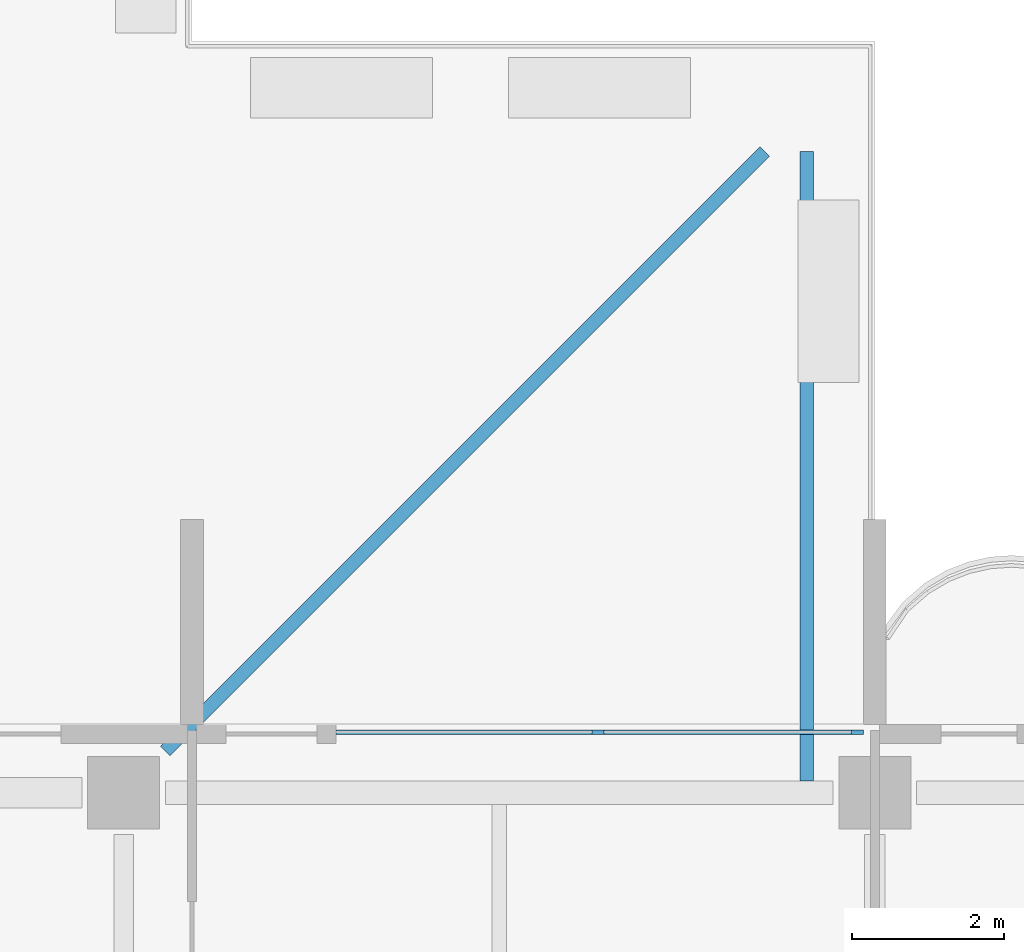
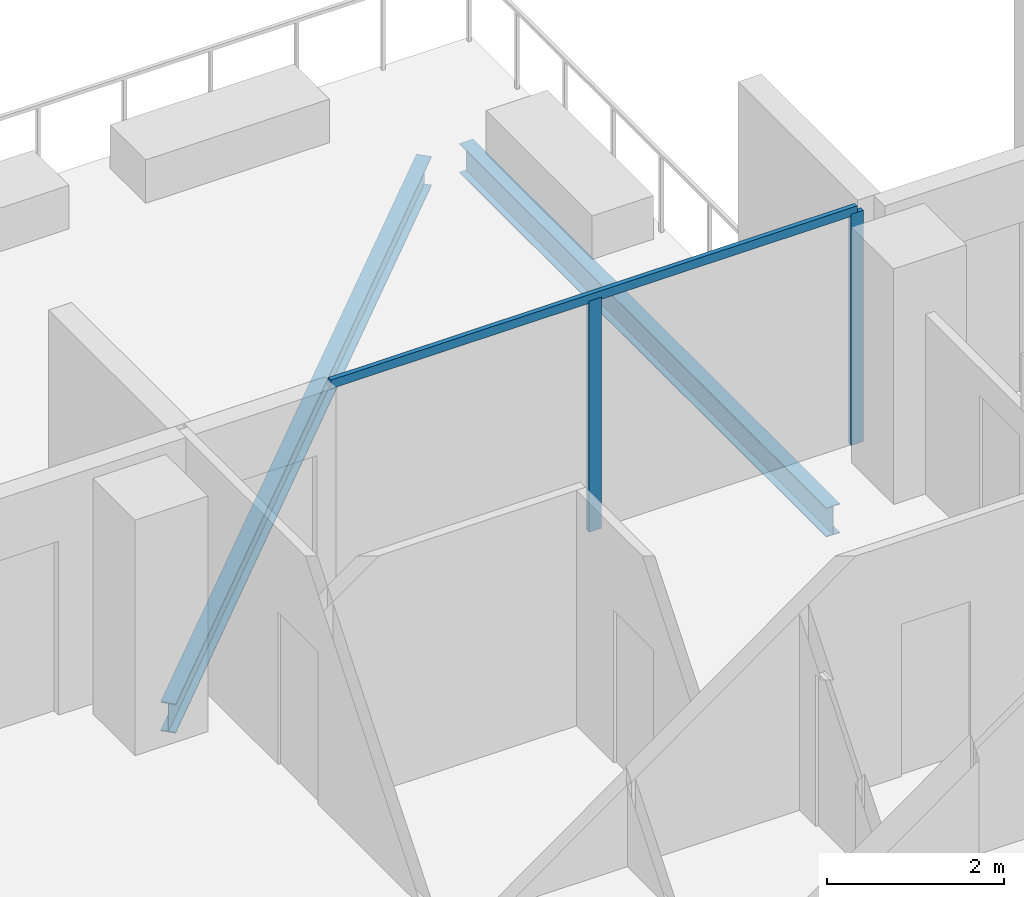
# One storey, part 6 of 18: 3 members, 2 beams, 1 element without a shape of its own.
"""IFC4 building model written with IfcOpenShell, lengths in metres."""

from ifc_helpers import new_model, si_unit, direction, frame, origin, origin_2d, place, context, subcontext, project, spatial, rectangle, i_section, extrude, material, material_profile, profile_set, type_object, element, aggregate, save


model = new_model("IFC4")

# Units and contexts
model_context = context("Model", 3, precision=1e-05, world=origin(), true_north=direction((0.0, 1.0)))
body_context = subcontext(model_context, "Body", "Model", "MODEL_VIEW")
ifc_project = project(units=[si_unit("LENGTHUNIT", "METRE"), si_unit("AREAUNIT", "SQUARE_METRE"), si_unit("VOLUMEUNIT", "CUBIC_METRE"), si_unit("PLANEANGLEUNIT", "RADIAN"), si_unit("MASSUNIT", "GRAM", prefix="KILO")], contexts=[model_context])

# Site, building, storey
site_placement = place(None, origin())
site = spatial("IfcSite", under=ifc_project, at=site_placement, CompositionType="ELEMENT")
building_placement = place(site_placement, origin())
building = spatial("IfcBuilding", under=site, at=building_placement, Name="Perihelion Cross Residences", CompositionType="ELEMENT")
storey_placement = place(building_placement, frame((0.0, 0.0, 166.60009765625)))
storey = spatial("IfcBuildingStorey", under=building, at=storey_placement, Name="L40", CompositionType="ELEMENT", Elevation=166.60009765625)

# Curtain wall, members
ifc_material_1 = material(Name="Bronze anodised aluminium, tinted glazing", Category="aluminium")
curtain_wall_type = type_object("IfcCurtainWallType", Name="CW1", PredefinedType="NOTDEFINED", material=ifc_material_1)
curtain_wall_placement = place(storey_placement, origin())
curtain_wall = element("IfcCurtainWall", 1, at=curtain_wall_placement, inside=storey, type_object=curtain_wall_type, Name="Curtain wall CW1 L40 east side north bay 2", PredefinedType="NOTDEFINED")
ifc_material_2 = material(Name="Bronze anodised aluminium", Category="aluminium")
ifc_material_profile_1 = material_profile(ifc_material_2, rectangle(XDim=0.06005859375, YDim=0.159912109375, at=origin_2d()), Name="CW1 mullion")
ifc_profile_set_1 = profile_set([ifc_material_profile_1], Name="Bronze anodised aluminium")
member_type_1 = type_object("IfcMemberType", Name="CW1 mullion", PredefinedType="MULLION", material=ifc_profile_set_1)
member_1_placement = place(storey_placement, frame((17.77001953125, 8.89990234375, 0.0), z_axis=(0.0, 0.0, 1.0), x_axis=(0.0, -1.0, 0.0)))
member_1 = element("IfcMember", 2, at=member_1_placement, type_object=member_type_1, Name="CW1 mullion 1", PredefinedType="MULLION", context=body_context, shape_type="SweptSolid", body=[
    extrude(rectangle(XDim=0.06005859375, YDim=0.159912109375, at=origin_2d()), origin(), (0.0, 0.0, 1.0), 3.18994140625),
])
member_2_placement = place(storey_placement, frame((14.35009765625, 8.89990234375, 0.0), z_axis=(0.0, 0.0, 1.0), x_axis=(0.0, -1.0, 0.0)))
member_2 = element("IfcMember", 3, at=member_2_placement, type_object=member_type_1, Name="CW1 mullion 2", PredefinedType="MULLION", context=body_context, shape_type="SweptSolid", body=[
    extrude(rectangle(XDim=0.06005859375, YDim=0.159912109375, at=origin_2d()), origin(), (0.0, 0.0, 1.0), 3.18994140625),
])
ifc_material_3 = material(Name="Bronze anodised aluminium", Category="aluminium")
ifc_material_profile_2 = material_profile(ifc_material_3, rectangle(XDim=0.06005859375, YDim=0.1201171875, at=origin_2d()), Name="CW1 transom")
ifc_profile_set_2 = profile_set([ifc_material_profile_2], Name="Bronze anodised aluminium")
member_type_2 = type_object("IfcMemberType", Name="CW1 transom", PredefinedType="USERDEFINED", material=ifc_profile_set_2)
member_3_placement = place(storey_placement, frame((17.77001953125, 8.89990234375, 3.219970703125), z_axis=(-1.0, 0.0, 0.0), x_axis=(0.0, -1.0, 0.0)))
member_3 = element("IfcMember", 4, at=member_3_placement, type_object=member_type_2, Name="CW1 head transom", ObjectType="TRANSOM", PredefinedType="USERDEFINED", context=body_context, shape_type="SweptSolid", body=[
    extrude(rectangle(XDim=0.06005859375, YDim=0.1201171875, at=origin_2d()), origin(), (0.0, 0.0, 1.0), 6.8701171875),
])
aggregate(curtain_wall, [member_1, member_2, member_3])

# Beams
ifc_material_4 = material(Name="Steel S355", Category="steel")
ifc_material_profile_3 = material_profile(ifc_material_4, i_section(OverallWidth=0.177978515625, OverallDepth=0.406005859375, WebThickness=0.0078125, FlangeThickness=0.0126953125, at=origin_2d()), Name="W410x60")
ifc_profile_set_3 = profile_set([ifc_material_profile_3], Name="Steel S355")
beam_type = type_object("IfcBeamType", Name="Core edge beam W410x60", PredefinedType="BEAM", material=ifc_profile_set_3)
beam_1_placement = place(storey_placement, frame((17.10009765625, 8.256103515625, -0.453125), z_axis=(0.0, 1.0, 0.0), x_axis=(-1.0, 0.0, 0.0)))
element("IfcBeam", 5, at=beam_1_placement, inside=storey, type_object=beam_type, Name="Core edge beam TB2 L40 corner no. 8", PredefinedType="BEAM", context=body_context, shape_type="SweptSolid", body=[
    extrude(i_section(OverallWidth=0.177978515625, OverallDepth=0.406005859375, WebThickness=0.0078125, FlangeThickness=0.0126953125, at=origin_2d()), origin(), (0.0, 0.0, 1.0), 8.2939453125),
])
beam_2_placement = place(storey_placement, frame((8.64990234375, 8.64990234375, -0.453125), z_axis=(0.707106781187, 0.707106781187, 0.0), x_axis=(-0.707106781187, 0.707106781187, 0.0)))
element("IfcBeam", 6, at=beam_2_placement, inside=storey, type_object=beam_type, Name="Core edge beam TB2 L40 corner no. 7", PredefinedType="BEAM", context=body_context, shape_type="SweptSolid", body=[
    extrude(i_section(OverallWidth=0.177978515625, OverallDepth=0.406005859375, WebThickness=0.0078125, FlangeThickness=0.0126953125, at=origin_2d()), origin(), (0.0, 0.0, 1.0), 11.172607421875),
])

save(model, "model.ifc")
